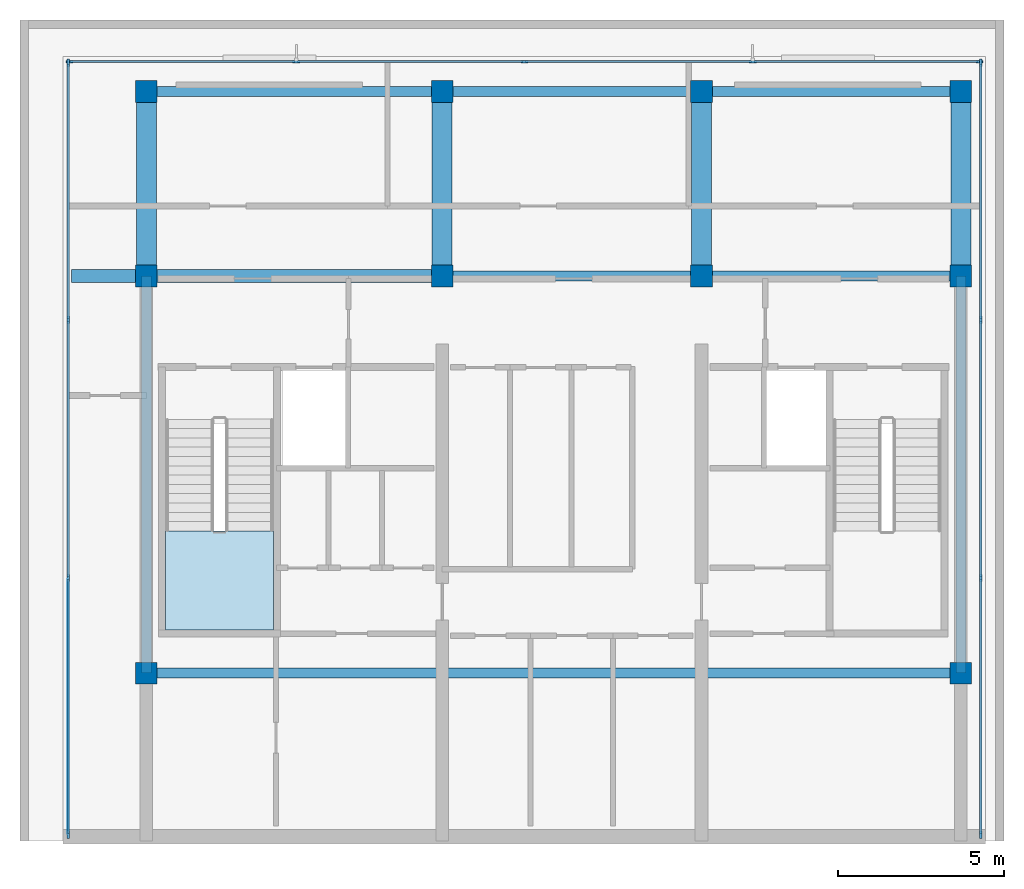
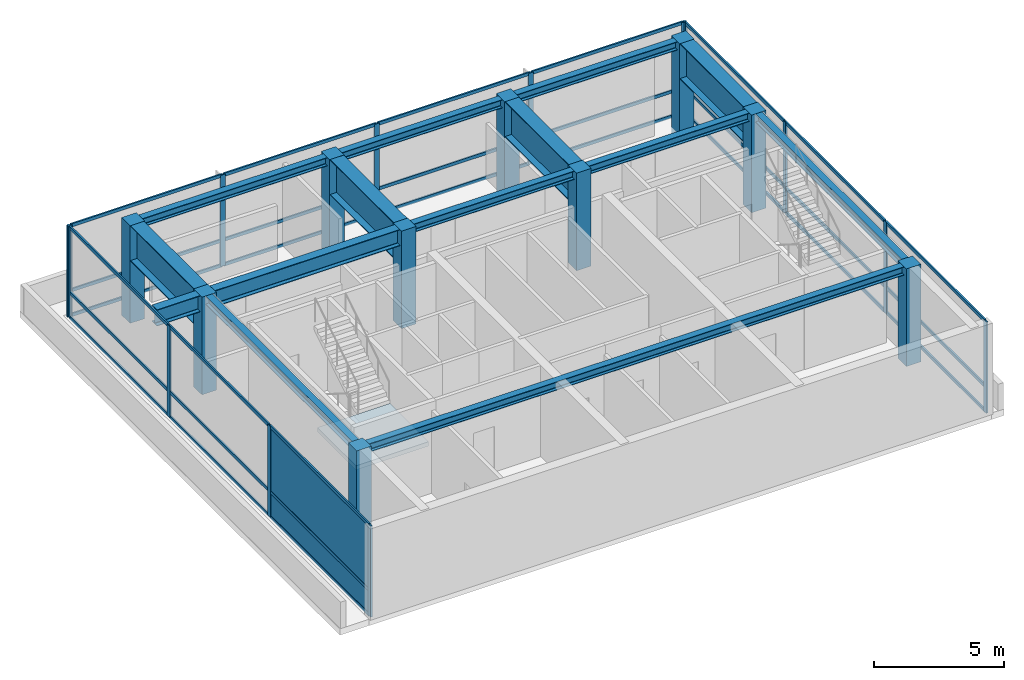
# One storey, part 1 of 5: 43 members, 13 beams, 10 columns, 2 plates, 1 slab, 4 elements without a shape of their own.
"""IFC4 building model written with IfcOpenShell, lengths in metres."""

from ifc_helpers import new_model, si_unit, direction, frame, origin, origin_2d, place, context, subcontext, project, spatial, polyline, rectangle, i_section, outline, extrude, material, layer, layer_set, material_profile, profile_set, type_object, element, aggregate, save


model = new_model("IFC4")

# Units and contexts
model_context = context("Model", 3, precision=1e-05, world=origin(), true_north=direction((0.0, 1.0)))
body_context = subcontext(model_context, "Body", "Model", "MODEL_VIEW")
ifc_project = project(units=[si_unit("LENGTHUNIT", "METRE"), si_unit("AREAUNIT", "SQUARE_METRE"), si_unit("VOLUMEUNIT", "CUBIC_METRE"), si_unit("PLANEANGLEUNIT", "RADIAN"), si_unit("MASSUNIT", "GRAM", prefix="KILO")], contexts=[model_context])

# Site, building, storey
site_placement = place(None, origin())
site = spatial("IfcSite", under=ifc_project, at=site_placement, CompositionType="ELEMENT")
building_placement = place(site_placement, origin())
building = spatial("IfcBuilding", under=site, at=building_placement, Name="Qalmaran Belvedere Hotel", CompositionType="ELEMENT")
storey_placement = place(building_placement, frame((0.0, 0.0, 303.300048828125)))
storey = spatial("IfcBuildingStorey", under=building, at=storey_placement, Name="C02", CompositionType="ELEMENT", Elevation=303.300048828125)

# Columns
ifc_material_1 = material(Name="Concrete C50/60", Category="concrete")
ifc_material_profile_1 = material_profile(ifc_material_1, rectangle(XDim=0.64990234375, YDim=0.64990234375, at=origin_2d()), Name="CC650X650")
ifc_profile_set_1 = profile_set([ifc_material_profile_1], Name="Concrete C50/60")
column_type = type_object("IfcColumnType", Name="COL-CRN-CC650", PredefinedType="COLUMN", material=ifc_profile_set_1)
for number, where, z_axis, x_axis, name in (
    (1, (20.300048828125, 8.550048828125, -0.300048828125), (0.0, 0.0, 1.0), (1.0, 0.0, 0.0), "C02 Column C4C"),
    (2, (44.800048828125, 8.550048828125, -0.300048828125), (0.0, 0.0, 1.0), (1.0, 0.0, 0.0), "C02 Column C7C"),
    (3, (20.300048828125, 20.5, -0.300048828125), (0.0, 0.0, 1.0), (1.0, 0.0, 0.0), "C02 Column C4D"),
    (4, (29.199951171875, 20.5, -0.300048828125), (0.0, 0.0, 1.0), (1.0, 0.0, 0.0), "C02 Column C5D"),
    (5, (37.0, 20.5, -0.300048828125), (0.0, 0.0, 1.0), (1.0, 0.0, 0.0), "C02 Column C6D"),
    (6, (44.800048828125, 20.5, -0.300048828125), (0.0, 0.0, 1.0), (1.0, 0.0, 0.0), "C02 Column C7D"),
    (7, (20.300048828125, 26.050048828125, -0.300048828125), (0.0, 0.0, 1.0), (1.0, 0.0, 0.0), "C02 Column CN1"),
    (8, (29.199951171875, 26.050048828125, -0.300048828125), (0.0, 0.0, 1.0), (1.0, 0.0, 0.0), "C02 Column CN2"),
    (9, (37.0, 26.050048828125, -0.300048828125), (0.0, 0.0, 1.0), (1.0, 0.0, 0.0), "C02 Column CN3"),
    (10, (44.800048828125, 26.050048828125, -0.300048828125), (0.0, 0.0, 1.0), (1.0, 0.0, 0.0), "C02 Column CN4"),
):
    element("IfcColumn", number, at=place(storey_placement, frame(where, z_axis=z_axis, x_axis=x_axis)), inside=storey, type_object=column_type, Name=name, PredefinedType="COLUMN", context=body_context, shape_type="SweptSolid", body=[
        extrude(rectangle(XDim=0.64990234375, YDim=0.64990234375, at=origin_2d()), origin(), (0.0, 0.0, 1.0), 4.60009765625),
    ])

# Beams
ifc_material_2 = material(Name="Steel S355JR", Category="steel")
ifc_material_profile_2 = material_profile(ifc_material_2, i_section(OverallWidth=0.300048828125, OverallDepth=0.39990234375, WebThickness=0.013427734375, FlangeThickness=0.02392578125, FilletRadius=0.027099609375, at=origin_2d()), Name="HEB400")
ifc_profile_set_2 = profile_set([ifc_material_profile_2], Name="Steel S355JR")
beam_type_1 = type_object("IfcBeamType", Name="BM-CRN-HEB400", PredefinedType="BEAM", material=ifc_profile_set_2)
beam_1_placement = place(storey_placement, frame((20.300048828125, 8.550048828125, 4.099853515625), z_axis=(1.0, 0.0, 0.0), x_axis=(0.0, 1.0, 0.0)))
element("IfcBeam", 11, at=beam_1_placement, inside=storey, type_object=beam_type_1, Name="C02 Crown Frame Beam X01", PredefinedType="BEAM", context=body_context, shape_type="SweptSolid", body=[
    extrude(i_section(OverallWidth=0.300048828125, OverallDepth=0.39990234375, WebThickness=0.013427734375, FlangeThickness=0.02392578125, FilletRadius=0.027099609375, at=origin_2d()), origin(), (0.0, 0.0, 1.0), 24.5),
])
for number, where, z_axis, x_axis, name in (
    (12, (29.199951171875, 20.5, 4.099853515625), (1.0, 0.0, 0.0), (0.0, 1.0, 0.0), "C02 Crown Frame Beam X03"),
    (13, (37.0, 20.5, 4.099853515625), (1.0, 0.0, 0.0), (0.0, 1.0, 0.0), "C02 Crown Frame Beam X04"),
):
    element("IfcBeam", number, at=place(storey_placement, frame(where, z_axis=z_axis, x_axis=x_axis)), inside=storey, type_object=beam_type_1, Name=name, PredefinedType="BEAM", context=body_context, shape_type="SweptSolid", body=[
        extrude(i_section(OverallWidth=0.300048828125, OverallDepth=0.39990234375, WebThickness=0.013427734375, FlangeThickness=0.02392578125, FilletRadius=0.027099609375, at=origin_2d()), origin(), (0.0, 0.0, 1.0), 7.800048828125),
    ])
beam_2_placement = place(storey_placement, frame((20.300048828125, 26.050048828125, 4.099853515625), z_axis=(1.0, 0.0, 0.0), x_axis=(0.0, 1.0, 0.0)))
element("IfcBeam", 14, at=beam_2_placement, inside=storey, type_object=beam_type_1, Name="C02 Crown Frame Beam X05", PredefinedType="BEAM", context=body_context, shape_type="SweptSolid", body=[
    extrude(i_section(OverallWidth=0.300048828125, OverallDepth=0.39990234375, WebThickness=0.013427734375, FlangeThickness=0.02392578125, FilletRadius=0.027099609375, at=origin_2d()), origin(), (0.0, 0.0, 1.0), 8.89990234375),
])
for number, where, z_axis, x_axis, name in (
    (15, (29.199951171875, 26.050048828125, 4.099853515625), (1.0, 0.0, 0.0), (0.0, 1.0, 0.0), "C02 Crown Frame Beam X06"),
    (16, (37.0, 26.050048828125, 4.099853515625), (1.0, 0.0, 0.0), (0.0, 1.0, 0.0), "C02 Crown Frame Beam X07"),
):
    element("IfcBeam", number, at=place(storey_placement, frame(where, z_axis=z_axis, x_axis=x_axis)), inside=storey, type_object=beam_type_1, Name=name, PredefinedType="BEAM", context=body_context, shape_type="SweptSolid", body=[
        extrude(i_section(OverallWidth=0.300048828125, OverallDepth=0.39990234375, WebThickness=0.013427734375, FlangeThickness=0.02392578125, FilletRadius=0.027099609375, at=origin_2d()), origin(), (0.0, 0.0, 1.0), 7.800048828125),
    ])
for number, where, z_axis, x_axis, name in (
    (17, (20.300048828125, 8.550048828125, 4.099853515625), (0.0, 1.0, 0.0), (-1.0, 0.0, 0.0), "C02 Crown Frame Beam Y08"),
    (18, (44.800048828125, 8.550048828125, 4.099853515625), (0.0, 1.0, 0.0), (-1.0, 0.0, 0.0), "C02 Crown Frame Beam Y12"),
):
    element("IfcBeam", number, at=place(storey_placement, frame(where, z_axis=z_axis, x_axis=x_axis)), inside=storey, type_object=beam_type_1, Name=name, PredefinedType="BEAM", context=body_context, shape_type="SweptSolid", body=[
        extrude(i_section(OverallWidth=0.300048828125, OverallDepth=0.39990234375, WebThickness=0.013427734375, FlangeThickness=0.02392578125, FilletRadius=0.027099609375, at=origin_2d()), origin(), (0.0, 0.0, 1.0), 11.949951171875),
    ])
ifc_material_profile_3 = material_profile(ifc_material_2, i_section(OverallWidth=0.381103515625, OverallDepth=0.77294921875, WebThickness=0.0166015625, FlangeThickness=0.027099609375, FilletRadius=0.02197265625, at=origin_2d()), Name="W760X257")
ifc_profile_set_3 = profile_set([ifc_material_profile_3], Name="Steel S355JR")
beam_type_2 = type_object("IfcBeamType", Name="BM-PG4-W760X257", PredefinedType="USERDEFINED", material=ifc_profile_set_3)
beam_3_placement = place(storey_placement, frame((18.050048828125, 20.5, 3.913330078125), z_axis=(1.0, 0.0, 0.0), x_axis=(0.0, 1.0, 0.0)))
element("IfcBeam", 19, at=beam_3_placement, inside=storey, type_object=beam_type_2, Name="C02 Crown Back-Spanned Overhang Girder 02", ObjectType="GIRDER", PredefinedType="USERDEFINED", context=body_context, shape_type="SweptSolid", body=[
    extrude(i_section(OverallWidth=0.381103515625, OverallDepth=0.77294921875, WebThickness=0.0166015625, FlangeThickness=0.027099609375, FilletRadius=0.02197265625, at=origin_2d()), origin(), (0.0, 0.0, 1.0), 11.14990234375),
])
ifc_material_profile_4 = material_profile(ifc_material_2, i_section(OverallWidth=0.60009765625, OverallDepth=1.679931640625, WebThickness=0.02587890625, FlangeThickness=0.035888671875, at=origin_2d()), Name="PG1680X600X36")
ifc_profile_set_4 = profile_set([ifc_material_profile_4], Name="Steel S355JR")
beam_type_3 = type_object("IfcBeamType", Name="BM-TG5-PG1680X600", PredefinedType="USERDEFINED", material=ifc_profile_set_4)
for number, where, z_axis, x_axis, name in (
    (20, (20.300048828125, 20.5, 3.4599609375), (0.0, 1.0, 0.0), (-1.0, 0.0, 0.0), "C02 Crown Frame Beam Y09"),
    (21, (29.199951171875, 20.5, 3.4599609375), (0.0, 1.0, 0.0), (-1.0, 0.0, 0.0), "C02 Crown Frame Beam Y10"),
    (22, (37.0, 20.5, 3.4599609375), (0.0, 1.0, 0.0), (-1.0, 0.0, 0.0), "C02 Crown Frame Beam Y11"),
    (23, (44.800048828125, 20.5, 3.4599609375), (0.0, 1.0, 0.0), (-1.0, 0.0, 0.0), "C02 Crown Frame Beam Y13"),
):
    element("IfcBeam", number, at=place(storey_placement, frame(where, z_axis=z_axis, x_axis=x_axis)), inside=storey, type_object=beam_type_3, Name=name, ObjectType="GIRDER", PredefinedType="USERDEFINED", context=body_context, shape_type="SweptSolid", body=[
        extrude(i_section(OverallWidth=0.60009765625, OverallDepth=1.679931640625, WebThickness=0.02587890625, FlangeThickness=0.035888671875, at=origin_2d()), origin(), (0.0, 0.0, 1.0), 5.550048828125),
    ])

# Curtain wall, members
ifc_material_3 = material(Name="Anodised Bronze Aluminium", Category="aluminium")
ifc_layer_1 = layer(ifc_material_3, 0.205078125, Name="Anodised Bronze Aluminium")
ifc_layer_set_1 = layer_set([ifc_layer_1], Name="Anodised Bronze Aluminium")
curtain_wall_type = type_object("IfcCurtainWallType", Name="CW7-CROWN-BELVEDERE", PredefinedType="NOTDEFINED", material=ifc_layer_set_1)
curtain_wall_1_placement = place(storey_placement, origin())
curtain_wall_1 = element("IfcCurtainWall", 24, at=curtain_wall_1_placement, inside=storey, type_object=curtain_wall_type, Name="C02 Curtain Wall CW7", PredefinedType="NOTDEFINED")
ifc_material_profile_5 = material_profile(ifc_material_3, rectangle(XDim=0.074951171875, YDim=0.219970703125, at=origin_2d()), Name="CWM75X220")
ifc_profile_set_5 = profile_set([ifc_material_profile_5], Name="Anodised Bronze Aluminium")
member_type_1 = type_object("IfcMemberType", Name="CWM-75X220", PredefinedType="MULLION", material=ifc_profile_set_5)
member_1_placement = place(storey_placement, frame((45.362548828125, 26.949951171875, 0.0), z_axis=(0.0, 0.0, 1.0), x_axis=(0.0, -1.0, 0.0)))
member_1 = element("IfcMember", 25, at=member_1_placement, type_object=member_type_1, Name="CW7 mullion 1", PredefinedType="MULLION", context=body_context, shape_type="SweptSolid", body=[
    extrude(rectangle(XDim=0.074951171875, YDim=0.219970703125, at=origin_2d()), origin(), (0.0, 0.0, 1.0), 4.300048828125),
])
member_2_placement = place(storey_placement, frame((38.53759765625, 26.949951171875, 0.0), z_axis=(0.0, 0.0, 1.0), x_axis=(0.0, -1.0, 0.0)))
member_2 = element("IfcMember", 26, at=member_2_placement, type_object=member_type_1, Name="CW7 mullion 2", PredefinedType="MULLION", context=body_context, shape_type="SweptSolid", body=[
    extrude(rectangle(XDim=0.074951171875, YDim=0.219970703125, at=origin_2d()), origin(), (0.0, 0.0, 1.0), 4.300048828125),
])
member_3_placement = place(storey_placement, frame((31.675048828125, 26.949951171875, 0.0), z_axis=(0.0, 0.0, 1.0), x_axis=(0.0, -1.0, 0.0)))
member_3 = element("IfcMember", 27, at=member_3_placement, type_object=member_type_1, Name="CW7 mullion 3", PredefinedType="MULLION", context=body_context, shape_type="SweptSolid", body=[
    extrude(rectangle(XDim=0.074951171875, YDim=0.219970703125, at=origin_2d()), origin(), (0.0, 0.0, 1.0), 4.300048828125),
])
member_4_placement = place(storey_placement, frame((24.8125, 26.949951171875, 0.0), z_axis=(0.0, 0.0, 1.0), x_axis=(0.0, -1.0, 0.0)))
member_4 = element("IfcMember", 28, at=member_4_placement, type_object=member_type_1, Name="CW7 mullion 4", PredefinedType="MULLION", context=body_context, shape_type="SweptSolid", body=[
    extrude(rectangle(XDim=0.074951171875, YDim=0.219970703125, at=origin_2d()), origin(), (0.0, 0.0, 1.0), 4.300048828125),
])
member_5_placement = place(storey_placement, frame((17.987548828125, 26.949951171875, 0.0), z_axis=(0.0, 0.0, 1.0), x_axis=(0.0, -1.0, 0.0)))
member_5 = element("IfcMember", 29, at=member_5_placement, type_object=member_type_1, Name="CW7 mullion 5", PredefinedType="MULLION", context=body_context, shape_type="SweptSolid", body=[
    extrude(rectangle(XDim=0.074951171875, YDim=0.219970703125, at=origin_2d()), origin(), (0.0, 0.0, 1.0), 4.300048828125),
])

curtain_wall_2_placement = place(storey_placement, origin())
curtain_wall_2 = element("IfcCurtainWall", 30, at=curtain_wall_2_placement, inside=storey, type_object=curtain_wall_type, Name="C02 Curtain Wall CW7", PredefinedType="NOTDEFINED")
member_6_placement = place(storey_placement, frame((17.949951171875, 26.91259765625, 0.0), z_axis=(0.0, 0.0, 1.0), x_axis=(1.0, 0.0, 0.0)))
member_6 = element("IfcMember", 31, at=member_6_placement, type_object=member_type_1, Name="CW7 mullion 1", PredefinedType="MULLION", context=body_context, shape_type="SweptSolid", body=[
    extrude(rectangle(XDim=0.074951171875, YDim=0.219970703125, at=origin_2d()), origin(), (0.0, 0.0, 1.0), 4.300048828125),
])
member_7_placement = place(storey_placement, frame((17.949951171875, 19.183349609375, 0.0), z_axis=(0.0, 0.0, 1.0), x_axis=(1.0, 0.0, 0.0)))
member_7 = element("IfcMember", 32, at=member_7_placement, type_object=member_type_1, Name="CW7 mullion 2", PredefinedType="MULLION", context=body_context, shape_type="SweptSolid", body=[
    extrude(rectangle(XDim=0.074951171875, YDim=0.219970703125, at=origin_2d()), origin(), (0.0, 0.0, 1.0), 4.300048828125),
])
member_8_placement = place(storey_placement, frame((17.949951171875, 11.416748046875, 0.0), z_axis=(0.0, 0.0, 1.0), x_axis=(1.0, 0.0, 0.0)))
member_8 = element("IfcMember", 33, at=member_8_placement, type_object=member_type_1, Name="CW7 mullion 3", PredefinedType="MULLION", context=body_context, shape_type="SweptSolid", body=[
    extrude(rectangle(XDim=0.074951171875, YDim=0.219970703125, at=origin_2d()), origin(), (0.0, 0.0, 1.0), 4.300048828125),
])
member_9_placement = place(storey_placement, frame((17.949951171875, 3.6875, 0.0), z_axis=(0.0, 0.0, 1.0), x_axis=(1.0, 0.0, 0.0)))
member_9 = element("IfcMember", 34, at=member_9_placement, type_object=member_type_1, Name="CW7 mullion 4", PredefinedType="MULLION", context=body_context, shape_type="SweptSolid", body=[
    extrude(rectangle(XDim=0.074951171875, YDim=0.219970703125, at=origin_2d()), origin(), (0.0, 0.0, 1.0), 4.300048828125),
])

curtain_wall_3_placement = place(storey_placement, origin())
curtain_wall_3 = element("IfcCurtainWall", 35, at=curtain_wall_3_placement, inside=storey, type_object=curtain_wall_type, Name="C02 Curtain Wall CW7", PredefinedType="NOTDEFINED")
member_10_placement = place(storey_placement, frame((45.39990234375, 3.6875, 0.0), z_axis=(0.0, 0.0, 1.0), x_axis=(-1.0, 0.0, 0.0)))
member_10 = element("IfcMember", 36, at=member_10_placement, type_object=member_type_1, Name="CW7 mullion 1", PredefinedType="MULLION", context=body_context, shape_type="SweptSolid", body=[
    extrude(rectangle(XDim=0.074951171875, YDim=0.219970703125, at=origin_2d()), origin(), (0.0, 0.0, 1.0), 4.300048828125),
])
member_11_placement = place(storey_placement, frame((45.39990234375, 11.416748046875, 0.0), z_axis=(0.0, 0.0, 1.0), x_axis=(-1.0, 0.0, 0.0)))
member_11 = element("IfcMember", 37, at=member_11_placement, type_object=member_type_1, Name="CW7 mullion 2", PredefinedType="MULLION", context=body_context, shape_type="SweptSolid", body=[
    extrude(rectangle(XDim=0.074951171875, YDim=0.219970703125, at=origin_2d()), origin(), (0.0, 0.0, 1.0), 4.300048828125),
])
member_12_placement = place(storey_placement, frame((45.39990234375, 19.183349609375, 0.0), z_axis=(0.0, 0.0, 1.0), x_axis=(-1.0, 0.0, 0.0)))
member_12 = element("IfcMember", 38, at=member_12_placement, type_object=member_type_1, Name="CW7 mullion 3", PredefinedType="MULLION", context=body_context, shape_type="SweptSolid", body=[
    extrude(rectangle(XDim=0.074951171875, YDim=0.219970703125, at=origin_2d()), origin(), (0.0, 0.0, 1.0), 4.300048828125),
])
member_13_placement = place(storey_placement, frame((45.39990234375, 26.91259765625, 0.0), z_axis=(0.0, 0.0, 1.0), x_axis=(-1.0, 0.0, 0.0)))
member_13 = element("IfcMember", 39, at=member_13_placement, type_object=member_type_1, Name="CW7 mullion 4", PredefinedType="MULLION", context=body_context, shape_type="SweptSolid", body=[
    extrude(rectangle(XDim=0.074951171875, YDim=0.219970703125, at=origin_2d()), origin(), (0.0, 0.0, 1.0), 4.300048828125),
])

# Member
ifc_material_profile_6 = material_profile(ifc_material_3, rectangle(XDim=0.070068359375, YDim=0.14990234375, at=origin_2d()), Name="CWT70X150")
ifc_profile_set_6 = profile_set([ifc_material_profile_6], Name="Anodised Bronze Aluminium")
member_type_2 = type_object("IfcMemberType", Name="CWT-70X150", PredefinedType="USERDEFINED", material=ifc_profile_set_6)
member_14_placement = place(storey_placement, frame((45.324951171875, 26.949951171875, 0.034912109375), z_axis=(-1.0, 0.0, 0.0), x_axis=(0.0, -1.0, 0.0)))
member_14 = element("IfcMember", 40, at=member_14_placement, type_object=member_type_2, Name="CW7 transom 1.1", ObjectType="TRANSOM", PredefinedType="USERDEFINED", context=body_context, shape_type="SweptSolid", body=[
    extrude(rectangle(XDim=0.070068359375, YDim=0.14990234375, at=origin_2d()), origin(), (0.0, 0.0, 1.0), 6.75),
])

member_15_placement = place(storey_placement, frame((45.324951171875, 26.949951171875, 1.203857421875), z_axis=(-1.0, 0.0, 0.0), x_axis=(0.0, -1.0, 0.0)))
member_15 = element("IfcMember", 41, at=member_15_placement, type_object=member_type_2, Name="CW7 transom 1.2", ObjectType="TRANSOM", PredefinedType="USERDEFINED", context=body_context, shape_type="SweptSolid", body=[
    extrude(rectangle(XDim=0.070068359375, YDim=0.14990234375, at=origin_2d()), origin(), (0.0, 0.0, 1.0), 6.75),
])

member_16_placement = place(storey_placement, frame((45.324951171875, 26.949951171875, 4.264892578125), z_axis=(-1.0, 0.0, 0.0), x_axis=(0.0, -1.0, 0.0)))
member_16 = element("IfcMember", 42, at=member_16_placement, type_object=member_type_2, Name="CW7 transom 1.3", ObjectType="TRANSOM", PredefinedType="USERDEFINED", context=body_context, shape_type="SweptSolid", body=[
    extrude(rectangle(XDim=0.070068359375, YDim=0.14990234375, at=origin_2d()), origin(), (0.0, 0.0, 1.0), 6.75),
])

member_17_placement = place(storey_placement, frame((38.5, 26.949951171875, 0.034912109375), z_axis=(-1.0, 0.0, 0.0), x_axis=(0.0, -1.0, 0.0)))
member_17 = element("IfcMember", 43, at=member_17_placement, type_object=member_type_2, Name="CW7 transom 2.1", ObjectType="TRANSOM", PredefinedType="USERDEFINED", context=body_context, shape_type="SweptSolid", body=[
    extrude(rectangle(XDim=0.070068359375, YDim=0.14990234375, at=origin_2d()), origin(), (0.0, 0.0, 1.0), 6.78759765625),
])

member_18_placement = place(storey_placement, frame((38.5, 26.949951171875, 1.203857421875), z_axis=(-1.0, 0.0, 0.0), x_axis=(0.0, -1.0, 0.0)))
member_18 = element("IfcMember", 44, at=member_18_placement, type_object=member_type_2, Name="CW7 transom 2.2", ObjectType="TRANSOM", PredefinedType="USERDEFINED", context=body_context, shape_type="SweptSolid", body=[
    extrude(rectangle(XDim=0.070068359375, YDim=0.14990234375, at=origin_2d()), origin(), (0.0, 0.0, 1.0), 6.78759765625),
])

member_19_placement = place(storey_placement, frame((38.5, 26.949951171875, 4.264892578125), z_axis=(-1.0, 0.0, 0.0), x_axis=(0.0, -1.0, 0.0)))
member_19 = element("IfcMember", 45, at=member_19_placement, type_object=member_type_2, Name="CW7 transom 2.3", ObjectType="TRANSOM", PredefinedType="USERDEFINED", context=body_context, shape_type="SweptSolid", body=[
    extrude(rectangle(XDim=0.070068359375, YDim=0.14990234375, at=origin_2d()), origin(), (0.0, 0.0, 1.0), 6.78759765625),
])

member_20_placement = place(storey_placement, frame((31.637451171875, 26.949951171875, 0.034912109375), z_axis=(-1.0, 0.0, 0.0), x_axis=(0.0, -1.0, 0.0)))
member_20 = element("IfcMember", 46, at=member_20_placement, type_object=member_type_2, Name="CW7 transom 3.1", ObjectType="TRANSOM", PredefinedType="USERDEFINED", context=body_context, shape_type="SweptSolid", body=[
    extrude(rectangle(XDim=0.070068359375, YDim=0.14990234375, at=origin_2d()), origin(), (0.0, 0.0, 1.0), 6.787353515625),
])

member_21_placement = place(storey_placement, frame((31.637451171875, 26.949951171875, 1.203857421875), z_axis=(-1.0, 0.0, 0.0), x_axis=(0.0, -1.0, 0.0)))
member_21 = element("IfcMember", 47, at=member_21_placement, type_object=member_type_2, Name="CW7 transom 3.2", ObjectType="TRANSOM", PredefinedType="USERDEFINED", context=body_context, shape_type="SweptSolid", body=[
    extrude(rectangle(XDim=0.070068359375, YDim=0.14990234375, at=origin_2d()), origin(), (0.0, 0.0, 1.0), 6.787353515625),
])

member_22_placement = place(storey_placement, frame((31.637451171875, 26.949951171875, 4.264892578125), z_axis=(-1.0, 0.0, 0.0), x_axis=(0.0, -1.0, 0.0)))
member_22 = element("IfcMember", 48, at=member_22_placement, type_object=member_type_2, Name="CW7 transom 3.3", ObjectType="TRANSOM", PredefinedType="USERDEFINED", context=body_context, shape_type="SweptSolid", body=[
    extrude(rectangle(XDim=0.070068359375, YDim=0.14990234375, at=origin_2d()), origin(), (0.0, 0.0, 1.0), 6.787353515625),
])

member_23_placement = place(storey_placement, frame((24.77490234375, 26.949951171875, 0.034912109375), z_axis=(-1.0, 0.0, 0.0), x_axis=(0.0, -1.0, 0.0)))
member_23 = element("IfcMember", 49, at=member_23_placement, type_object=member_type_2, Name="CW7 transom 4.1", ObjectType="TRANSOM", PredefinedType="USERDEFINED", context=body_context, shape_type="SweptSolid", body=[
    extrude(rectangle(XDim=0.070068359375, YDim=0.14990234375, at=origin_2d()), origin(), (0.0, 0.0, 1.0), 6.75),
])

member_24_placement = place(storey_placement, frame((24.77490234375, 26.949951171875, 1.203857421875), z_axis=(-1.0, 0.0, 0.0), x_axis=(0.0, -1.0, 0.0)))
member_24 = element("IfcMember", 50, at=member_24_placement, type_object=member_type_2, Name="CW7 transom 4.2", ObjectType="TRANSOM", PredefinedType="USERDEFINED", context=body_context, shape_type="SweptSolid", body=[
    extrude(rectangle(XDim=0.070068359375, YDim=0.14990234375, at=origin_2d()), origin(), (0.0, 0.0, 1.0), 6.75),
])

member_25_placement = place(storey_placement, frame((24.77490234375, 26.949951171875, 4.264892578125), z_axis=(-1.0, 0.0, 0.0), x_axis=(0.0, -1.0, 0.0)))
member_25 = element("IfcMember", 51, at=member_25_placement, type_object=member_type_2, Name="CW7 transom 4.3", ObjectType="TRANSOM", PredefinedType="USERDEFINED", context=body_context, shape_type="SweptSolid", body=[
    extrude(rectangle(XDim=0.070068359375, YDim=0.14990234375, at=origin_2d()), origin(), (0.0, 0.0, 1.0), 6.75),
])

aggregate(curtain_wall_1, [member_1, member_2, member_3, member_4, member_5, member_14, member_15, member_16, member_17, member_18, member_19, member_20, member_21, member_22, member_23, member_24, member_25])

member_26_placement = place(storey_placement, frame((17.949951171875, 26.875, 0.034912109375), z_axis=(0.0, -1.0, 0.0), x_axis=(1.0, 0.0, 0.0)))
member_26 = element("IfcMember", 52, at=member_26_placement, type_object=member_type_2, Name="CW7 transom 1.1", ObjectType="TRANSOM", PredefinedType="USERDEFINED", context=body_context, shape_type="SweptSolid", body=[
    extrude(rectangle(XDim=0.070068359375, YDim=0.14990234375, at=origin_2d()), origin(), (0.0, 0.0, 1.0), 7.654052734375),
])

member_27_placement = place(storey_placement, frame((17.949951171875, 26.875, 1.203857421875), z_axis=(0.0, -1.0, 0.0), x_axis=(1.0, 0.0, 0.0)))
member_27 = element("IfcMember", 53, at=member_27_placement, type_object=member_type_2, Name="CW7 transom 1.2", ObjectType="TRANSOM", PredefinedType="USERDEFINED", context=body_context, shape_type="SweptSolid", body=[
    extrude(rectangle(XDim=0.070068359375, YDim=0.14990234375, at=origin_2d()), origin(), (0.0, 0.0, 1.0), 7.654052734375),
])

member_28_placement = place(storey_placement, frame((17.949951171875, 26.875, 4.264892578125), z_axis=(0.0, -1.0, 0.0), x_axis=(1.0, 0.0, 0.0)))
member_28 = element("IfcMember", 54, at=member_28_placement, type_object=member_type_2, Name="CW7 transom 1.3", ObjectType="TRANSOM", PredefinedType="USERDEFINED", context=body_context, shape_type="SweptSolid", body=[
    extrude(rectangle(XDim=0.070068359375, YDim=0.14990234375, at=origin_2d()), origin(), (0.0, 0.0, 1.0), 7.654052734375),
])

member_29_placement = place(storey_placement, frame((17.949951171875, 19.145751953125, 0.034912109375), z_axis=(0.0, -1.0, 0.0), x_axis=(1.0, 0.0, 0.0)))
member_29 = element("IfcMember", 55, at=member_29_placement, type_object=member_type_2, Name="CW7 transom 2.1", ObjectType="TRANSOM", PredefinedType="USERDEFINED", context=body_context, shape_type="SweptSolid", body=[
    extrude(rectangle(XDim=0.070068359375, YDim=0.14990234375, at=origin_2d()), origin(), (0.0, 0.0, 1.0), 7.691650390625),
])

member_30_placement = place(storey_placement, frame((17.949951171875, 19.145751953125, 1.203857421875), z_axis=(0.0, -1.0, 0.0), x_axis=(1.0, 0.0, 0.0)))
member_30 = element("IfcMember", 56, at=member_30_placement, type_object=member_type_2, Name="CW7 transom 2.2", ObjectType="TRANSOM", PredefinedType="USERDEFINED", context=body_context, shape_type="SweptSolid", body=[
    extrude(rectangle(XDim=0.070068359375, YDim=0.14990234375, at=origin_2d()), origin(), (0.0, 0.0, 1.0), 7.691650390625),
])

member_31_placement = place(storey_placement, frame((17.949951171875, 19.145751953125, 4.264892578125), z_axis=(0.0, -1.0, 0.0), x_axis=(1.0, 0.0, 0.0)))
member_31 = element("IfcMember", 57, at=member_31_placement, type_object=member_type_2, Name="CW7 transom 2.3", ObjectType="TRANSOM", PredefinedType="USERDEFINED", context=body_context, shape_type="SweptSolid", body=[
    extrude(rectangle(XDim=0.070068359375, YDim=0.14990234375, at=origin_2d()), origin(), (0.0, 0.0, 1.0), 7.691650390625),
])

member_32_placement = place(storey_placement, frame((17.949951171875, 11.379150390625, 0.034912109375), z_axis=(0.0, -1.0, 0.0), x_axis=(1.0, 0.0, 0.0)))
member_32 = element("IfcMember", 58, at=member_32_placement, type_object=member_type_2, Name="CW7 transom 3.1", ObjectType="TRANSOM", PredefinedType="USERDEFINED", context=body_context, shape_type="SweptSolid", body=[
    extrude(rectangle(XDim=0.070068359375, YDim=0.14990234375, at=origin_2d()), origin(), (0.0, 0.0, 1.0), 7.654052734375),
])

member_33_placement = place(storey_placement, frame((17.949951171875, 11.379150390625, 1.203857421875), z_axis=(0.0, -1.0, 0.0), x_axis=(1.0, 0.0, 0.0)))
member_33 = element("IfcMember", 59, at=member_33_placement, type_object=member_type_2, Name="CW7 transom 3.2", ObjectType="TRANSOM", PredefinedType="USERDEFINED", context=body_context, shape_type="SweptSolid", body=[
    extrude(rectangle(XDim=0.070068359375, YDim=0.14990234375, at=origin_2d()), origin(), (0.0, 0.0, 1.0), 7.654052734375),
])

member_34_placement = place(storey_placement, frame((17.949951171875, 11.379150390625, 4.264892578125), z_axis=(0.0, -1.0, 0.0), x_axis=(1.0, 0.0, 0.0)))
member_34 = element("IfcMember", 60, at=member_34_placement, type_object=member_type_2, Name="CW7 transom 3.3", ObjectType="TRANSOM", PredefinedType="USERDEFINED", context=body_context, shape_type="SweptSolid", body=[
    extrude(rectangle(XDim=0.070068359375, YDim=0.14990234375, at=origin_2d()), origin(), (0.0, 0.0, 1.0), 7.654052734375),
])

member_35_placement = place(storey_placement, frame((45.39990234375, 3.72509765625, 0.034912109375), z_axis=(0.0, 1.0, 0.0), x_axis=(-1.0, 0.0, 0.0)))
member_35 = element("IfcMember", 61, at=member_35_placement, type_object=member_type_2, Name="CW7 transom 1.1", ObjectType="TRANSOM", PredefinedType="USERDEFINED", context=body_context, shape_type="SweptSolid", body=[
    extrude(rectangle(XDim=0.070068359375, YDim=0.14990234375, at=origin_2d()), origin(), (0.0, 0.0, 1.0), 7.654052734375),
])

member_36_placement = place(storey_placement, frame((45.39990234375, 3.72509765625, 1.203857421875), z_axis=(0.0, 1.0, 0.0), x_axis=(-1.0, 0.0, 0.0)))
member_36 = element("IfcMember", 62, at=member_36_placement, type_object=member_type_2, Name="CW7 transom 1.2", ObjectType="TRANSOM", PredefinedType="USERDEFINED", context=body_context, shape_type="SweptSolid", body=[
    extrude(rectangle(XDim=0.070068359375, YDim=0.14990234375, at=origin_2d()), origin(), (0.0, 0.0, 1.0), 7.654052734375),
])

member_37_placement = place(storey_placement, frame((45.39990234375, 3.72509765625, 4.264892578125), z_axis=(0.0, 1.0, 0.0), x_axis=(-1.0, 0.0, 0.0)))
member_37 = element("IfcMember", 63, at=member_37_placement, type_object=member_type_2, Name="CW7 transom 1.3", ObjectType="TRANSOM", PredefinedType="USERDEFINED", context=body_context, shape_type="SweptSolid", body=[
    extrude(rectangle(XDim=0.070068359375, YDim=0.14990234375, at=origin_2d()), origin(), (0.0, 0.0, 1.0), 7.654052734375),
])

member_38_placement = place(storey_placement, frame((45.39990234375, 11.4541015625, 0.034912109375), z_axis=(0.0, 1.0, 0.0), x_axis=(-1.0, 0.0, 0.0)))
member_38 = element("IfcMember", 64, at=member_38_placement, type_object=member_type_2, Name="CW7 transom 2.1", ObjectType="TRANSOM", PredefinedType="USERDEFINED", context=body_context, shape_type="SweptSolid", body=[
    extrude(rectangle(XDim=0.070068359375, YDim=0.14990234375, at=origin_2d()), origin(), (0.0, 0.0, 1.0), 7.691650390625),
])

member_39_placement = place(storey_placement, frame((45.39990234375, 11.4541015625, 1.203857421875), z_axis=(0.0, 1.0, 0.0), x_axis=(-1.0, 0.0, 0.0)))
member_39 = element("IfcMember", 65, at=member_39_placement, type_object=member_type_2, Name="CW7 transom 2.2", ObjectType="TRANSOM", PredefinedType="USERDEFINED", context=body_context, shape_type="SweptSolid", body=[
    extrude(rectangle(XDim=0.070068359375, YDim=0.14990234375, at=origin_2d()), origin(), (0.0, 0.0, 1.0), 7.691650390625),
])

member_40_placement = place(storey_placement, frame((45.39990234375, 11.4541015625, 4.264892578125), z_axis=(0.0, 1.0, 0.0), x_axis=(-1.0, 0.0, 0.0)))
member_40 = element("IfcMember", 66, at=member_40_placement, type_object=member_type_2, Name="CW7 transom 2.3", ObjectType="TRANSOM", PredefinedType="USERDEFINED", context=body_context, shape_type="SweptSolid", body=[
    extrude(rectangle(XDim=0.070068359375, YDim=0.14990234375, at=origin_2d()), origin(), (0.0, 0.0, 1.0), 7.691650390625),
])

member_41_placement = place(storey_placement, frame((45.39990234375, 19.220947265625, 0.034912109375), z_axis=(0.0, 1.0, 0.0), x_axis=(-1.0, 0.0, 0.0)))
member_41 = element("IfcMember", 67, at=member_41_placement, type_object=member_type_2, Name="CW7 transom 3.1", ObjectType="TRANSOM", PredefinedType="USERDEFINED", context=body_context, shape_type="SweptSolid", body=[
    extrude(rectangle(XDim=0.070068359375, YDim=0.14990234375, at=origin_2d()), origin(), (0.0, 0.0, 1.0), 7.654052734375),
])

member_42_placement = place(storey_placement, frame((45.39990234375, 19.220947265625, 1.203857421875), z_axis=(0.0, 1.0, 0.0), x_axis=(-1.0, 0.0, 0.0)))
member_42 = element("IfcMember", 68, at=member_42_placement, type_object=member_type_2, Name="CW7 transom 3.2", ObjectType="TRANSOM", PredefinedType="USERDEFINED", context=body_context, shape_type="SweptSolid", body=[
    extrude(rectangle(XDim=0.070068359375, YDim=0.14990234375, at=origin_2d()), origin(), (0.0, 0.0, 1.0), 7.654052734375),
])

member_43_placement = place(storey_placement, frame((45.39990234375, 19.220947265625, 4.264892578125), z_axis=(0.0, 1.0, 0.0), x_axis=(-1.0, 0.0, 0.0)))
member_43 = element("IfcMember", 69, at=member_43_placement, type_object=member_type_2, Name="CW7 transom 3.3", ObjectType="TRANSOM", PredefinedType="USERDEFINED", context=body_context, shape_type="SweptSolid", body=[
    extrude(rectangle(XDim=0.070068359375, YDim=0.14990234375, at=origin_2d()), origin(), (0.0, 0.0, 1.0), 7.654052734375),
])

aggregate(curtain_wall_3, [member_10, member_11, member_12, member_13, member_35, member_36, member_37, member_38, member_39, member_40, member_41, member_42, member_43])

# Plate
ifc_material_4 = material(Name="Anodised Bronze Spandrel Panel")
ifc_layer_2 = layer(ifc_material_4, 0.035888671875, Name="Anodised Bronze Spandrel Panel")
ifc_layer_set_2 = layer_set([ifc_layer_2], Name="Anodised Bronze Spandrel Panel")
plate_type_1 = type_object("IfcPlateType", Name="CWP-SPANDREL-36", PredefinedType="CURTAIN_PANEL", material=ifc_layer_set_2)
plate_1_placement = place(storey_placement, frame((17.949951171875, 7.552001953125, 0.06982421875), z_axis=(0.0, 0.0, 1.0), x_axis=(0.0, -1.0, 0.0)))
plate_1 = element("IfcPlate", 70, at=plate_1_placement, type_object=plate_type_1, Name="CW7 panel 3.1", PredefinedType="CURTAIN_PANEL", context=body_context, shape_type="SweptSolid", body=[
    extrude(rectangle(XDim=7.654052734375, YDim=0.035888671875, at=origin_2d()), origin(), (0.0, 0.0, 1.0), 1.09912109375),
])

ifc_material_5 = material(Name="Solar-Control Double Glazing", Category="glass")
ifc_layer_3 = layer(ifc_material_5, 0.028076171875, Name="Solar-Control Double Glazing")
ifc_layer_set_3 = layer_set([ifc_layer_3], Name="Solar-Control Double Glazing")
plate_type_2 = type_object("IfcPlateType", Name="CWP-VISION-28", PredefinedType="CURTAIN_PANEL", material=ifc_layer_set_3)
plate_2_placement = place(storey_placement, frame((17.949951171875, 7.552001953125, 1.23876953125), z_axis=(0.0, 0.0, 1.0), x_axis=(0.0, -1.0, 0.0)))
plate_2 = element("IfcPlate", 71, at=plate_2_placement, type_object=plate_type_2, Name="CW7 panel 3.2", PredefinedType="CURTAIN_PANEL", context=body_context, shape_type="SweptSolid", body=[
    extrude(rectangle(XDim=7.654052734375, YDim=0.028076171875, at=origin_2d()), origin(), (0.0, 0.0, 1.0), 2.990966796875),
])

aggregate(curtain_wall_2, [member_6, member_7, member_8, member_9, member_26, member_27, member_28, member_29, member_30, member_31, member_32, member_33, member_34, plate_1, plate_2])

# Stair, slab
ifc_material_6 = material(Name="Concrete C40/50", Category="concrete")
stair_type = type_object("IfcStairType", Name="STR-ST-1-1450-R1769", PredefinedType="HALF_TURN_STAIR", material=ifc_material_6)
stair_placement = place(storey_placement, origin())
stair = element("IfcStair", 72, at=stair_placement, inside=storey, type_object=stair_type, Name="C02 West Core Exit Stair ST-1", PredefinedType="HALF_TURN_STAIR")
ifc_layer_4 = layer(ifc_material_6, 0.199951171875, Name="Concrete C40/50")
ifc_layer_set_4 = layer_set([ifc_layer_4], Name="Concrete C40/50")
slab_type = type_object("IfcSlabType", Name="SLB-STAIR-LANDING-200", PredefinedType="LANDING", material=ifc_layer_set_4)
slab_placement = place(storey_placement, frame((0.0, 0.0, 2.099853515625)))
slab = element("IfcSlab", 73, at=slab_placement, type_object=slab_type, Name="ST-1 landing 1", PredefinedType="LANDING", context=body_context, shape_type="SweptSolid", body=[
    extrude(outline(polyline([(20.8798828125, 12.830078125), (20.8798828125, 9.85009765625), (24.1201171875, 9.85009765625), (24.1201171875, 12.830078125), (20.8798828125, 12.830078125)])), origin(), (0.0, 0.0, 1.0), 0.2001953125),
])
aggregate(stair, [slab])

save(model, "model.ifc")
